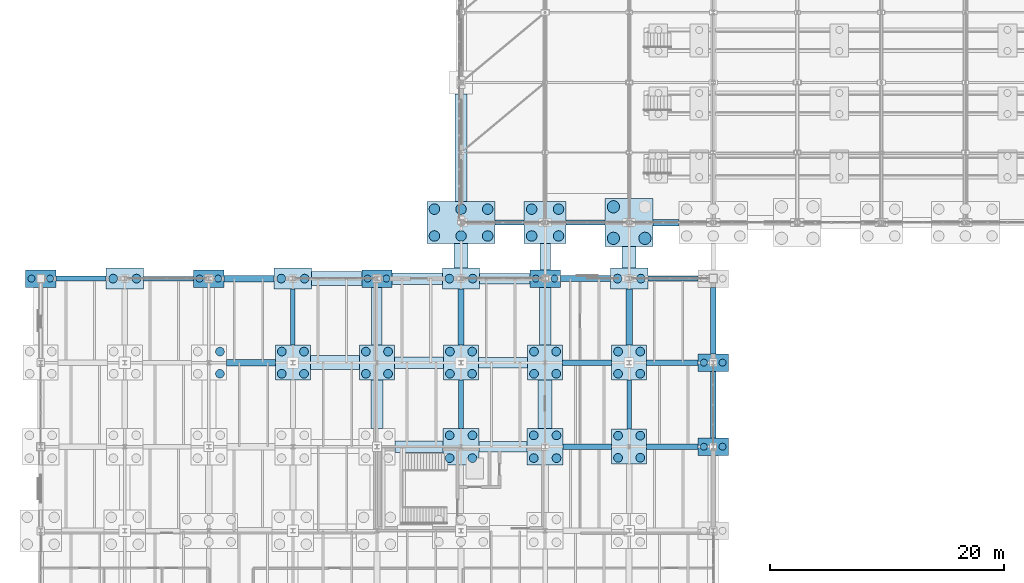
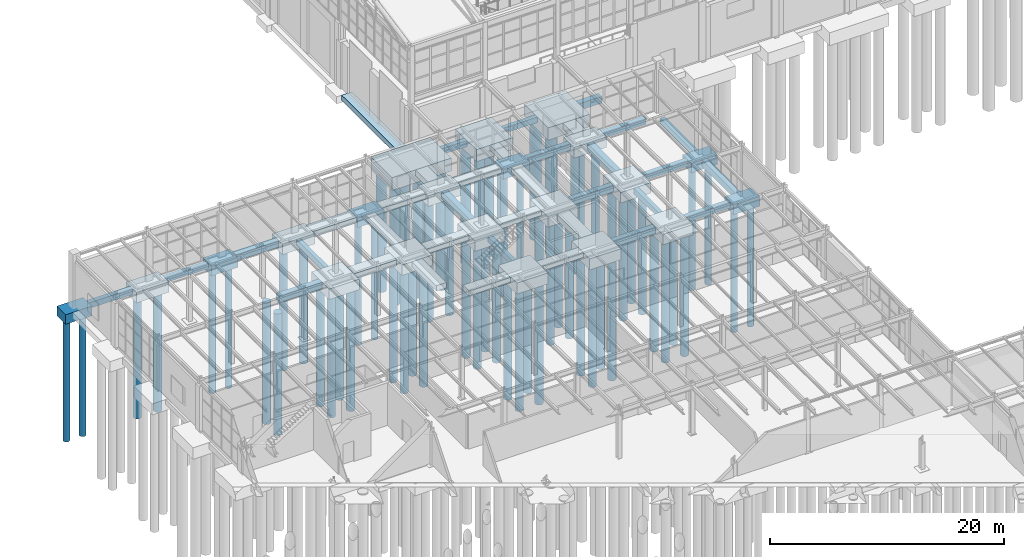
# One storey, part 7 of 293: 67 piles, 57 footings.
"""IFC4 building model written with IfcOpenShell, lengths in metres."""

from ifc_helpers import new_model, si_unit, direction, frame, origin, origin_2d, place, context, subcontext, project, spatial, rectangle, circle, extrude, material, material_profile, profile_set, type_object, element, save


model = new_model("IFC4")

# Units and contexts
model_context = context("Model", 3, precision=1e-05, world=origin(), true_north=direction((0.0, 1.0)))
body_context = subcontext(model_context, "Body", "Model", "MODEL_VIEW")
ifc_project = project(units=[si_unit("LENGTHUNIT", "METRE"), si_unit("AREAUNIT", "SQUARE_METRE"), si_unit("VOLUMEUNIT", "CUBIC_METRE"), si_unit("PLANEANGLEUNIT", "RADIAN"), si_unit("MASSUNIT", "GRAM", prefix="KILO")], contexts=[model_context])

# Site, building, storey
site_placement = place(None, origin())
site = spatial("IfcSite", under=ifc_project, at=site_placement, CompositionType="ELEMENT")
building_placement = place(site_placement, origin())
building = spatial("IfcBuilding", under=site, at=building_placement, Name="Kemerveld Promenade Tramway Depot", CompositionType="ELEMENT")
storey_placement = place(building_placement, origin())
storey = spatial("IfcBuildingStorey", under=building, at=storey_placement, Name="L00", CompositionType="ELEMENT", Elevation=0.0)

# Footings
ifc_material = material(Name="Concrete C35/45", Category="concrete")
footing_type_1 = type_object("IfcFootingType", Name="FT-GB01", PredefinedType="FOOTING_BEAM", material=ifc_material)
footing_1_placement = place(storey_placement, frame((46.824951171875, 64.800048828125, -0.949951171875), z_axis=(0.0, 0.0, 1.0), x_axis=(1.0, 0.0, 0.0)))
element("IfcFooting", 1, at=footing_1_placement, inside=storey, type_object=footing_type_1, Name="GBX-07-08-K", PredefinedType="FOOTING_BEAM", context=body_context, shape_type="SweptSolid", body=[
    extrude(rectangle(XDim=4.14990234375, YDim=0.5, at=origin_2d()), origin(), (0.0, 0.0, 1.0), 0.64990234375),
])
footing_2_placement = place(storey_placement, frame((46.800048828125, 72.0, -0.949951171875), z_axis=(0.0, 0.0, 1.0), x_axis=(1.0, 0.0, 0.0)))
element("IfcFooting", 2, at=footing_2_placement, inside=storey, type_object=footing_type_1, Name="GBX-07-08-L", PredefinedType="FOOTING_BEAM", context=body_context, shape_type="SweptSolid", body=[
    extrude(rectangle(XDim=4.199951171875, YDim=0.5, at=origin_2d()), origin(), (0.0, 0.0, 1.0), 0.64990234375),
])
footing_3_placement = place(storey_placement, frame((46.64990234375, 79.199951171875, -0.949951171875), z_axis=(0.0, 0.0, 1.0), x_axis=(1.0, 0.0, 0.0)))
element("IfcFooting", 3, at=footing_3_placement, inside=storey, type_object=footing_type_1, Name="GBX-07-08-M", PredefinedType="FOOTING_BEAM", context=body_context, shape_type="SweptSolid", body=[
    extrude(rectangle(XDim=4.300048828125, YDim=0.5, at=origin_2d()), origin(), (0.0, 0.0, 1.0), 0.64990234375),
])
footing_4_placement = place(storey_placement, frame((57.60009765625, 68.39990234375, -0.949951171875), z_axis=(0.0, 0.0, 1.0), x_axis=(0.0, 1.0, 0.0)))
element("IfcFooting", 4, at=footing_4_placement, inside=storey, type_object=footing_type_1, Name="GBY-09-K-L", PredefinedType="FOOTING_BEAM", context=body_context, shape_type="SweptSolid", body=[
    extrude(rectangle(XDim=5.699951171875, YDim=0.5, at=origin_2d()), origin(), (0.0, 0.0, 1.0), 0.64990234375),
])
footing_type_2 = type_object("IfcFootingType", Name="FT-GB02", PredefinedType="FOOTING_BEAM", material=ifc_material)
for number, where, z_axis, x_axis, name in (
    (5, (54.10009765625, 64.800048828125, -0.900146484375), (0.0, 0.0, 1.0), (1.0, 0.0, 0.0), "GBX-08-09-K"),
    (6, (54.10009765625, 72.0, -0.900146484375), (0.0, 0.0, 1.0), (1.0, 0.0, 0.0), "GBX-08-09-L"),
):
    element("IfcFooting", number, at=place(storey_placement, frame(where, z_axis=z_axis, x_axis=x_axis)), inside=storey, type_object=footing_type_2, Name=name, PredefinedType="FOOTING_BEAM", context=body_context, shape_type="SweptSolid", body=[
        extrude(rectangle(XDim=4.39990234375, YDim=0.449951171875, at=origin_2d()), origin(), (0.0, 0.0, 1.0), 0.60009765625),
    ])
for number, where, z_axis, x_axis, name in (
    (7, (3.449951171875, 79.199951171875, -0.900146484375), (0.0, 0.0, 1.0), (1.0, 0.0, 0.0), "GBX-01-02-M"),
    (8, (54.14990234375, 79.199951171875, -0.900146484375), (0.0, 0.0, 1.0), (1.0, 0.0, 0.0), "GBX-08-09-M"),
):
    element("IfcFooting", number, at=place(storey_placement, frame(where, z_axis=z_axis, x_axis=x_axis)), inside=storey, type_object=footing_type_2, Name=name, PredefinedType="FOOTING_BEAM", context=body_context, shape_type="SweptSolid", body=[
        extrude(rectangle(XDim=4.300048828125, YDim=0.449951171875, at=origin_2d()), origin(), (0.0, 0.0, 1.0), 0.60009765625),
    ])
footing_5_placement = place(storey_placement, frame((40.16259765625, 84.0, -0.900146484375), z_axis=(0.0, 0.0, 1.0), x_axis=(1.0, 0.0, 0.0)))
element("IfcFooting", 9, at=footing_5_placement, inside=storey, type_object=footing_type_2, Name="GBX-06-07-N", PredefinedType="FOOTING_BEAM", context=body_context, shape_type="SweptSolid", body=[
    extrude(rectangle(XDim=2.47509765625, YDim=0.449951171875, at=origin_2d()), origin(), (0.0, 0.0, 1.0), 0.60009765625),
])
footing_6_placement = place(storey_placement, frame((57.60009765625, 75.60009765625, -0.900146484375), z_axis=(0.0, 0.0, 1.0), x_axis=(0.0, 1.0, 0.0)))
element("IfcFooting", 10, at=footing_6_placement, inside=storey, type_object=footing_type_2, Name="GBY-09-L-M", PredefinedType="FOOTING_BEAM", context=body_context, shape_type="SweptSolid", body=[
    extrude(rectangle(XDim=5.699951171875, YDim=0.449951171875, at=origin_2d()), origin(), (0.0, 0.0, 1.0), 0.60009765625),
])
footing_type_3 = type_object("IfcFootingType", Name="FT-GB03", PredefinedType="FOOTING_BEAM", material=ifc_material)
footing_7_placement = place(storey_placement, frame((10.949951171875, 79.199951171875, -0.85009765625), z_axis=(0.0, 0.0, 1.0), x_axis=(1.0, 0.0, 0.0)))
element("IfcFooting", 11, at=footing_7_placement, inside=storey, type_object=footing_type_3, Name="GBX-02-03-M", PredefinedType="FOOTING_BEAM", context=body_context, shape_type="SweptSolid", body=[
    extrude(rectangle(XDim=4.300048828125, YDim=0.39990234375, at=origin_2d()), origin(), (0.0, 0.0, 1.0), 0.550048828125),
])
footing_8_placement = place(storey_placement, frame((46.675048828125, 84.0, -0.85009765625), z_axis=(0.0, 0.0, 1.0), x_axis=(1.0, 0.0, 0.0)))
element("IfcFooting", 12, at=footing_8_placement, inside=storey, type_object=footing_type_3, Name="GBX-07-08-N", PredefinedType="FOOTING_BEAM", context=body_context, shape_type="SweptSolid", body=[
    extrude(rectangle(XDim=3.35009765625, YDim=0.39990234375, at=origin_2d()), origin(), (0.0, 0.0, 1.0), 0.550048828125),
])
footing_9_placement = place(storey_placement, frame((21.60009765625, 75.89990234375, -0.85009765625), z_axis=(0.0, 0.0, 1.0), x_axis=(0.0, 1.0, 0.0)))
element("IfcFooting", 13, at=footing_9_placement, inside=storey, type_object=footing_type_3, Name="GBY-04-L-M", PredefinedType="FOOTING_BEAM", context=body_context, shape_type="SweptSolid", body=[
    extrude(rectangle(XDim=4.800048828125, YDim=0.39990234375, at=origin_2d()), origin(), (0.0, 0.0, 1.0), 0.550048828125),
])
footing_10_placement = place(storey_placement, frame((36.0, 68.425048828125, -0.85009765625), z_axis=(0.0, 0.0, 1.0), x_axis=(0.0, 1.0, 0.0)))
element("IfcFooting", 14, at=footing_10_placement, inside=storey, type_object=footing_type_3, Name="GBY-06-K-L", PredefinedType="FOOTING_BEAM", context=body_context, shape_type="SweptSolid", body=[
    extrude(rectangle(XDim=4.14990234375, YDim=0.39990234375, at=origin_2d()), origin(), (0.0, 0.0, 1.0), 0.550048828125),
])
footing_11_placement = place(storey_placement, frame((50.39990234375, 68.39990234375, -0.85009765625), z_axis=(0.0, 0.0, 1.0), x_axis=(0.0, 1.0, 0.0)))
element("IfcFooting", 15, at=footing_11_placement, inside=storey, type_object=footing_type_3, Name="GBY-08-K-L", PredefinedType="FOOTING_BEAM", context=body_context, shape_type="SweptSolid", body=[
    extrude(rectangle(XDim=4.199951171875, YDim=0.39990234375, at=origin_2d()), origin(), (0.0, 0.0, 1.0), 0.550048828125),
])
footing_type_4 = type_object("IfcFootingType", Name="FT-GB04", PredefinedType="FOOTING_BEAM", material=ifc_material)
footing_12_placement = place(storey_placement, frame((18.0, 72.0, -1.0), z_axis=(0.0, 0.0, 1.0), x_axis=(1.0, 0.0, 0.0)))
element("IfcFooting", 16, at=footing_12_placement, inside=storey, type_object=footing_type_4, Name="GBX-03-04-L", PredefinedType="FOOTING_BEAM", context=body_context, shape_type="SweptSolid", body=[
    extrude(rectangle(XDim=4.199951171875, YDim=0.550048828125, at=origin_2d()), origin(), (0.0, 0.0, 1.0), 0.699951171875),
])
footing_13_placement = place(storey_placement, frame((17.85009765625, 79.199951171875, -1.0), z_axis=(0.0, 0.0, 1.0), x_axis=(1.0, 0.0, 0.0)))
element("IfcFooting", 17, at=footing_13_placement, inside=storey, type_object=footing_type_4, Name="GBX-03-04-M", PredefinedType="FOOTING_BEAM", context=body_context, shape_type="SweptSolid", body=[
    extrude(rectangle(XDim=4.300048828125, YDim=0.550048828125, at=origin_2d()), origin(), (0.0, 0.0, 1.0), 0.699951171875),
])
footing_14_placement = place(storey_placement, frame((53.5625, 84.0, -1.0), z_axis=(0.0, 0.0, 1.0), x_axis=(1.0, 0.0, 0.0)))
element("IfcFooting", 18, at=footing_14_placement, inside=storey, type_object=footing_type_4, Name="GBX-08-09-N", PredefinedType="FOOTING_BEAM", context=body_context, shape_type="SweptSolid", body=[
    extrude(rectangle(XDim=2.22509765625, YDim=0.550048828125, at=origin_2d()), origin(), (0.0, 0.0, 1.0), 0.699951171875),
])
for number, where, z_axis, x_axis, name in (
    (19, (36.0, 75.89990234375, -1.0), (0.0, 0.0, 1.0), (0.0, 1.0, 0.0), "GBY-06-L-M"),
    (20, (50.39990234375, 75.89990234375, -1.0), (0.0, 0.0, 1.0), (0.0, 1.0, 0.0), "GBY-08-L-M"),
):
    element("IfcFooting", number, at=place(storey_placement, frame(where, z_axis=z_axis, x_axis=x_axis)), inside=storey, type_object=footing_type_4, Name=name, PredefinedType="FOOTING_BEAM", context=body_context, shape_type="SweptSolid", body=[
        extrude(rectangle(XDim=4.800048828125, YDim=0.550048828125, at=origin_2d()), origin(), (0.0, 0.0, 1.0), 0.699951171875),
    ])
footing_type_5 = type_object("IfcFootingType", Name="FT-PC01", PredefinedType="PILE_CAP", material=ifc_material)
footing_15_placement = place(storey_placement, frame((50.39990234375, 84.0, -1.60009765625), z_axis=(0.0, 0.0, 1.0), x_axis=(1.0, 0.0, 0.0)))
element("IfcFooting", 21, at=footing_15_placement, inside=storey, type_object=footing_type_5, Name="FT-08-N", PredefinedType="PILE_CAP", context=body_context, shape_type="SweptSolid", body=[
    extrude(rectangle(XDim=4.10009765625, YDim=4.10009765625, at=origin_2d()), origin(), (0.0, 0.0, 1.0), 1.300048828125),
])
footing_type_6 = type_object("IfcFootingType", Name="FT-PC02", PredefinedType="PILE_CAP", material=ifc_material)
footing_16_placement = place(storey_placement, frame((43.199951171875, 84.0, -1.550048828125), z_axis=(0.0, 0.0, 1.0), x_axis=(1.0, 0.0, 0.0)))
element("IfcFooting", 22, at=footing_16_placement, inside=storey, type_object=footing_type_6, Name="FT-07-N", PredefinedType="PILE_CAP", context=body_context, shape_type="SweptSolid", body=[
    extrude(rectangle(XDim=3.60009765625, YDim=3.60009765625, at=origin_2d()), origin(), (0.0, 0.0, 1.0), 1.25),
])
footing_type_7 = type_object("IfcFootingType", Name="FT-PC04", PredefinedType="PILE_CAP", material=ifc_material)
for number, where, z_axis, x_axis, name in (
    (23, (36.0, 64.800048828125, -1.449951171875), (0.0, 0.0, 1.0), (1.0, 0.0, 0.0), "FT-06-K"),
    (24, (43.199951171875, 64.800048828125, -1.449951171875), (0.0, 0.0, 1.0), (1.0, 0.0, 0.0), "FT-07-K"),
):
    element("IfcFooting", number, at=place(storey_placement, frame(where, z_axis=z_axis, x_axis=x_axis)), inside=storey, type_object=footing_type_7, Name=name, PredefinedType="PILE_CAP", context=body_context, shape_type="SweptSolid", body=[
        extrude(rectangle(XDim=3.10009765625, YDim=3.10009765625, at=origin_2d()), origin(), (0.0, 0.0, 1.0), 1.14990234375),
    ])
footing_type_8 = type_object("IfcFootingType", Name="FT-PC05", PredefinedType="PILE_CAP", material=ifc_material)
for number, where, z_axis, x_axis, name in (
    (25, (21.60009765625, 72.0, -1.400146484375), (0.0, 0.0, 1.0), (1.0, 0.0, 0.0), "FT-04-L"),
    (26, (28.800048828125, 72.0, -1.400146484375), (0.0, 0.0, 1.0), (1.0, 0.0, 0.0), "FT-05-L"),
    (27, (36.0, 72.0, -1.400146484375), (0.0, 0.0, 1.0), (1.0, 0.0, 0.0), "FT-06-L"),
    (28, (43.199951171875, 72.0, -1.400146484375), (0.0, 0.0, 1.0), (1.0, 0.0, 0.0), "FT-07-L"),
    (29, (50.39990234375, 64.800048828125, -1.400146484375), (0.0, 0.0, 1.0), (1.0, 0.0, 0.0), "FT-08-K"),
    (30, (50.39990234375, 72.0, -1.400146484375), (0.0, 0.0, 1.0), (1.0, 0.0, 0.0), "FT-08-L"),
):
    element("IfcFooting", number, at=place(storey_placement, frame(where, z_axis=z_axis, x_axis=x_axis)), inside=storey, type_object=footing_type_8, Name=name, PredefinedType="PILE_CAP", context=body_context, shape_type="SweptSolid", body=[
        extrude(rectangle(XDim=3.0, YDim=3.0, at=origin_2d()), origin(), (0.0, 0.0, 1.0), 1.10009765625),
    ])
footing_type_9 = type_object("IfcFootingType", Name="FT-PC06", PredefinedType="PILE_CAP", material=ifc_material)
for number, where, z_axis, x_axis, name in (
    (31, (7.199951171875, 79.199951171875, -1.400146484375), (0.0, 0.0, 1.0), (1.0, 0.0, 0.0), "FT-02-M"),
    (32, (21.60009765625, 79.199951171875, -1.400146484375), (0.0, 0.0, 1.0), (1.0, 0.0, 0.0), "FT-04-M"),
    (33, (36.0, 79.199951171875, -1.400146484375), (0.0, 0.0, 1.0), (1.0, 0.0, 0.0), "FT-06-M"),
    (34, (50.39990234375, 79.199951171875, -1.400146484375), (0.0, 0.0, 1.0), (1.0, 0.0, 0.0), "FT-08-M"),
):
    element("IfcFooting", number, at=place(storey_placement, frame(where, z_axis=z_axis, x_axis=x_axis)), inside=storey, type_object=footing_type_9, Name=name, PredefinedType="PILE_CAP", context=body_context, shape_type="SweptSolid", body=[
        extrude(rectangle(XDim=3.199951171875, YDim=1.800048828125, at=origin_2d()), origin(), (0.0, 0.0, 1.0), 1.10009765625),
    ])
footing_type_10 = type_object("IfcFootingType", Name="FT-PC08", PredefinedType="PILE_CAP", material=ifc_material)
for number, where, z_axis, x_axis, name in (
    (35, (0.0, 79.199951171875, -1.300048828125), (0.0, 0.0, 1.0), (1.0, 0.0, 0.0), "FT-01-M"),
    (36, (14.39990234375, 79.199951171875, -1.300048828125), (0.0, 0.0, 1.0), (1.0, 0.0, 0.0), "FT-03-M"),
    (37, (28.800048828125, 79.199951171875, -1.300048828125), (0.0, 0.0, 1.0), (1.0, 0.0, 0.0), "FT-05-M"),
    (38, (43.199951171875, 79.199951171875, -1.300048828125), (0.0, 0.0, 1.0), (1.0, 0.0, 0.0), "FT-07-M"),
    (39, (57.60009765625, 64.800048828125, -1.300048828125), (0.0, 0.0, 1.0), (1.0, 0.0, 0.0), "FT-09-K"),
    (40, (57.60009765625, 72.0, -1.300048828125), (0.0, 0.0, 1.0), (1.0, 0.0, 0.0), "FT-09-L"),
):
    element("IfcFooting", number, at=place(storey_placement, frame(where, z_axis=z_axis, x_axis=x_axis)), inside=storey, type_object=footing_type_10, Name=name, PredefinedType="PILE_CAP", context=body_context, shape_type="SweptSolid", body=[
        extrude(rectangle(XDim=2.60009765625, YDim=1.5, at=origin_2d()), origin(), (0.0, 0.0, 1.0), 1.0),
    ])
footing_type_11 = type_object("IfcFootingType", Name="FT-PC09", PredefinedType="PILE_CAP", material=ifc_material)
footing_17_placement = place(storey_placement, frame((36.0, 84.0, -1.650146484375), z_axis=(0.0, 0.0, 1.0), x_axis=(1.0, 0.0, 0.0)))
element("IfcFooting", 41, at=footing_17_placement, inside=storey, type_object=footing_type_11, Name="FT-06-N", PredefinedType="PILE_CAP", context=body_context, shape_type="SweptSolid", body=[
    extrude(rectangle(XDim=5.85009765625, YDim=3.60009765625, at=origin_2d()), origin(), (0.0, 0.0, 1.0), 1.35009765625),
])
footing_type_12 = type_object("IfcFootingType", Name="FT-SF01", PredefinedType="STRIP_FOOTING", material=ifc_material)
footing_18_placement = place(storey_placement, frame((25.199951171875, 72.0, -0.900146484375), z_axis=(0.0, 0.0, 1.0), x_axis=(1.0, 0.0, 0.0)))
element("IfcFooting", 42, at=footing_18_placement, inside=storey, type_object=footing_type_12, Name="GBX-04-05-L", PredefinedType="STRIP_FOOTING", context=body_context, shape_type="SweptSolid", body=[
    extrude(rectangle(XDim=4.199951171875, YDim=1.199951171875, at=origin_2d()), origin(), (0.0, 0.0, 1.0), 0.60009765625),
])
footing_19_placement = place(storey_placement, frame((25.35009765625, 79.199951171875, -0.900146484375), z_axis=(0.0, 0.0, 1.0), x_axis=(1.0, 0.0, 0.0)))
element("IfcFooting", 43, at=footing_19_placement, inside=storey, type_object=footing_type_12, Name="GBX-04-05-M", PredefinedType="STRIP_FOOTING", context=body_context, shape_type="SweptSolid", body=[
    extrude(rectangle(XDim=4.300048828125, YDim=1.199951171875, at=origin_2d()), origin(), (0.0, 0.0, 1.0), 0.60009765625),
])
footing_20_placement = place(storey_placement, frame((36.0, 81.14990234375, -0.900146484375), z_axis=(0.0, 0.0, 1.0), x_axis=(0.0, 1.0, 0.0)))
element("IfcFooting", 44, at=footing_20_placement, inside=storey, type_object=footing_type_12, Name="GBY-06-M-N", PredefinedType="STRIP_FOOTING", context=body_context, shape_type="SweptSolid", body=[
    extrude(rectangle(XDim=2.10009765625, YDim=1.199951171875, at=origin_2d()), origin(), (0.0, 0.0, 1.0), 0.60009765625),
])
footing_21_placement = place(storey_placement, frame((43.199951171875, 68.425048828125, -0.900146484375), z_axis=(0.0, 0.0, 1.0), x_axis=(0.0, 1.0, 0.0)))
element("IfcFooting", 45, at=footing_21_placement, inside=storey, type_object=footing_type_12, Name="GBY-07-K-L", PredefinedType="STRIP_FOOTING", context=body_context, shape_type="SweptSolid", body=[
    extrude(rectangle(XDim=4.14990234375, YDim=1.199951171875, at=origin_2d()), origin(), (0.0, 0.0, 1.0), 0.60009765625),
])
footing_22_placement = place(storey_placement, frame((50.39990234375, 81.02490234375, -0.900146484375), z_axis=(0.0, 0.0, 1.0), x_axis=(0.0, 1.0, 0.0)))
element("IfcFooting", 46, at=footing_22_placement, inside=storey, type_object=footing_type_12, Name="GBY-08-M-N", PredefinedType="STRIP_FOOTING", context=body_context, shape_type="SweptSolid", body=[
    extrude(rectangle(XDim=1.85009765625, YDim=1.199951171875, at=origin_2d()), origin(), (0.0, 0.0, 1.0), 0.60009765625),
])
footing_type_13 = type_object("IfcFootingType", Name="FT-SF02", PredefinedType="STRIP_FOOTING", material=ifc_material)
footing_23_placement = place(storey_placement, frame((32.39990234375, 64.800048828125, -0.85009765625), z_axis=(0.0, 0.0, 1.0), x_axis=(1.0, 0.0, 0.0)))
element("IfcFooting", 47, at=footing_23_placement, inside=storey, type_object=footing_type_13, Name="GBX-05-06-K", PredefinedType="STRIP_FOOTING", context=body_context, shape_type="SweptSolid", body=[
    extrude(rectangle(XDim=4.10009765625, YDim=1.0, at=origin_2d()), origin(), (0.0, 0.0, 1.0), 0.550048828125),
])
footing_24_placement = place(storey_placement, frame((32.39990234375, 72.0, -0.85009765625), z_axis=(0.0, 0.0, 1.0), x_axis=(1.0, 0.0, 0.0)))
element("IfcFooting", 48, at=footing_24_placement, inside=storey, type_object=footing_type_13, Name="GBX-05-06-L", PredefinedType="STRIP_FOOTING", context=body_context, shape_type="SweptSolid", body=[
    extrude(rectangle(XDim=4.199951171875, YDim=1.0, at=origin_2d()), origin(), (0.0, 0.0, 1.0), 0.550048828125),
])
footing_25_placement = place(storey_placement, frame((32.25, 79.199951171875, -0.85009765625), z_axis=(0.0, 0.0, 1.0), x_axis=(1.0, 0.0, 0.0)))
element("IfcFooting", 49, at=footing_25_placement, inside=storey, type_object=footing_type_13, Name="GBX-05-06-M", PredefinedType="STRIP_FOOTING", context=body_context, shape_type="SweptSolid", body=[
    extrude(rectangle(XDim=4.300048828125, YDim=1.0, at=origin_2d()), origin(), (0.0, 0.0, 1.0), 0.550048828125),
])
footing_26_placement = place(storey_placement, frame((28.800048828125, 68.425048828125, -0.85009765625), z_axis=(0.0, 0.0, 1.0), x_axis=(0.0, 1.0, 0.0)))
element("IfcFooting", 50, at=footing_26_placement, inside=storey, type_object=footing_type_13, Name="GBY-05-K-L", PredefinedType="STRIP_FOOTING", context=body_context, shape_type="SweptSolid", body=[
    extrude(rectangle(XDim=4.14990234375, YDim=1.0, at=origin_2d()), origin(), (0.0, 0.0, 1.0), 0.550048828125),
])
footing_27_placement = place(storey_placement, frame((36.0, 90.39990234375, -0.85009765625), z_axis=(0.0, 0.0, 1.0), x_axis=(0.0, 1.0, 0.0)))
element("IfcFooting", 51, at=footing_27_placement, inside=storey, type_object=footing_type_13, Name="GBY-06-N-P", PredefinedType="STRIP_FOOTING", context=body_context, shape_type="SweptSolid", body=[
    extrude(rectangle(XDim=9.199951171875, YDim=1.0, at=origin_2d()), origin(), (0.0, 0.0, 1.0), 0.550048828125),
])
footing_28_placement = place(storey_placement, frame((43.199951171875, 75.97509765625, -0.85009765625), z_axis=(0.0, 0.0, 1.0), x_axis=(0.0, 1.0, 0.0)))
element("IfcFooting", 52, at=footing_28_placement, inside=storey, type_object=footing_type_13, Name="GBY-07-L-M", PredefinedType="STRIP_FOOTING", context=body_context, shape_type="SweptSolid", body=[
    extrude(rectangle(XDim=4.949951171875, YDim=1.0, at=origin_2d()), origin(), (0.0, 0.0, 1.0), 0.550048828125),
])
footing_type_14 = type_object("IfcFootingType", Name="FT-SF03", PredefinedType="STRIP_FOOTING", material=ifc_material)
footing_29_placement = place(storey_placement, frame((39.60009765625, 64.800048828125, -0.800048828125), z_axis=(0.0, 0.0, 1.0), x_axis=(1.0, 0.0, 0.0)))
element("IfcFooting", 53, at=footing_29_placement, inside=storey, type_object=footing_type_14, Name="GBX-06-07-K", PredefinedType="STRIP_FOOTING", context=body_context, shape_type="SweptSolid", body=[
    extrude(rectangle(XDim=4.10009765625, YDim=0.89990234375, at=origin_2d()), origin(), (0.0, 0.0, 1.0), 0.5),
])
footing_30_placement = place(storey_placement, frame((39.60009765625, 72.0, -0.800048828125), z_axis=(0.0, 0.0, 1.0), x_axis=(1.0, 0.0, 0.0)))
element("IfcFooting", 54, at=footing_30_placement, inside=storey, type_object=footing_type_14, Name="GBX-06-07-L", PredefinedType="STRIP_FOOTING", context=body_context, shape_type="SweptSolid", body=[
    extrude(rectangle(XDim=4.199951171875, YDim=0.89990234375, at=origin_2d()), origin(), (0.0, 0.0, 1.0), 0.5),
])
footing_31_placement = place(storey_placement, frame((39.75, 79.199951171875, -0.800048828125), z_axis=(0.0, 0.0, 1.0), x_axis=(1.0, 0.0, 0.0)))
element("IfcFooting", 55, at=footing_31_placement, inside=storey, type_object=footing_type_14, Name="GBX-06-07-M", PredefinedType="STRIP_FOOTING", context=body_context, shape_type="SweptSolid", body=[
    extrude(rectangle(XDim=4.300048828125, YDim=0.89990234375, at=origin_2d()), origin(), (0.0, 0.0, 1.0), 0.5),
])
footing_32_placement = place(storey_placement, frame((28.800048828125, 75.97509765625, -0.800048828125), z_axis=(0.0, 0.0, 1.0), x_axis=(0.0, 1.0, 0.0)))
element("IfcFooting", 56, at=footing_32_placement, inside=storey, type_object=footing_type_14, Name="GBY-05-L-M", PredefinedType="STRIP_FOOTING", context=body_context, shape_type="SweptSolid", body=[
    extrude(rectangle(XDim=4.949951171875, YDim=0.89990234375, at=origin_2d()), origin(), (0.0, 0.0, 1.0), 0.5),
])
footing_33_placement = place(storey_placement, frame((43.199951171875, 81.074951171875, -0.800048828125), z_axis=(0.0, 0.0, 1.0), x_axis=(0.0, 1.0, 0.0)))
element("IfcFooting", 57, at=footing_33_placement, inside=storey, type_object=footing_type_14, Name="GBY-07-M-N", PredefinedType="STRIP_FOOTING", context=body_context, shape_type="SweptSolid", body=[
    extrude(rectangle(XDim=2.25, YDim=0.89990234375, at=origin_2d()), origin(), (0.0, 0.0, 1.0), 0.5),
])

# Piles
ifc_material_profile_1 = material_profile(ifc_material, circle(Radius=0.52490234375, at=origin_2d()), Name="PILE-D1050")
ifc_profile_set_1 = profile_set([ifc_material_profile_1], Name="Concrete C35/45")
pile_type_1 = type_object("IfcPileType", Name="PL-BOR-1050", PredefinedType="BORED", material=ifc_profile_set_1)
for number, where, z_axis, x_axis, name in (
    (58, (49.050048828125, 82.64990234375, -1.5), (0.0, 0.0, -1.0), (1.0, 0.0, 0.0), "PIL-08-N-1"),
    (59, (51.75, 82.64990234375, -1.5), (0.0, 0.0, -1.0), (1.0, 0.0, 0.0), "PIL-08-N-2"),
    (60, (49.050048828125, 85.35009765625, -1.5), (0.0, 0.0, -1.0), (1.0, 0.0, 0.0), "PIL-08-N-3"),
):
    element("IfcPile", number, at=place(storey_placement, frame(where, z_axis=z_axis, x_axis=x_axis)), inside=storey, type_object=pile_type_1, Name=name, PredefinedType="BORED", context=body_context, shape_type="SweptSolid", body=[
        extrude(circle(Radius=0.52490234375, at=origin_2d()), origin(), (0.0, 0.0, 1.0), 12.5),
    ])
ifc_material_profile_2 = material_profile(ifc_material, circle(Radius=0.300048828125, at=origin_2d()), Name="PILE-D600")
ifc_profile_set_2 = profile_set([ifc_material_profile_2], Name="Concrete C35/45")
pile_type_2 = type_object("IfcPileType", Name="PL-BOR-600", PredefinedType="BORED", material=ifc_profile_set_2)
for number, where, z_axis, x_axis, name in (
    (61, (-0.800048828125, 79.199951171875, -1.199951171875), (0.0, 0.0, -1.0), (1.0, 0.0, 0.0), "PIL-01-M-1"),
    (62, (0.800048828125, 79.199951171875, -1.199951171875), (0.0, 0.0, -1.0), (1.0, 0.0, 0.0), "PIL-01-M-2"),
    (63, (13.60009765625, 79.199951171875, -1.199951171875), (0.0, 0.0, -1.0), (1.0, 0.0, 0.0), "PIL-03-M-1"),
    (64, (15.199951171875, 79.199951171875, -1.199951171875), (0.0, 0.0, -1.0), (1.0, 0.0, 0.0), "PIL-03-M-2"),
    (65, (28.0, 79.199951171875, -1.199951171875), (0.0, 0.0, -1.0), (1.0, 0.0, 0.0), "PIL-05-M-1"),
    (66, (29.60009765625, 79.199951171875, -1.199951171875), (0.0, 0.0, -1.0), (1.0, 0.0, 0.0), "PIL-05-M-2"),
    (67, (42.39990234375, 79.199951171875, -1.199951171875), (0.0, 0.0, -1.0), (1.0, 0.0, 0.0), "PIL-07-M-1"),
    (68, (44.0, 79.199951171875, -1.199951171875), (0.0, 0.0, -1.0), (1.0, 0.0, 0.0), "PIL-07-M-2"),
    (69, (56.800048828125, 64.800048828125, -1.199951171875), (0.0, 0.0, -1.0), (1.0, 0.0, 0.0), "PIL-09-K-1"),
    (70, (58.39990234375, 64.800048828125, -1.199951171875), (0.0, 0.0, -1.0), (1.0, 0.0, 0.0), "PIL-09-K-2"),
    (71, (56.800048828125, 72.0, -1.199951171875), (0.0, 0.0, -1.0), (1.0, 0.0, 0.0), "PIL-09-L-1"),
    (72, (58.39990234375, 72.0, -1.199951171875), (0.0, 0.0, -1.0), (1.0, 0.0, 0.0), "PIL-09-L-2"),
):
    element("IfcPile", number, at=place(storey_placement, frame(where, z_axis=z_axis, x_axis=x_axis)), inside=storey, type_object=pile_type_2, Name=name, PredefinedType="BORED", context=body_context, shape_type="SweptSolid", body=[
        extrude(circle(Radius=0.300048828125, at=origin_2d()), origin(), (0.0, 0.0, 1.0), 12.800048828125),
    ])
ifc_material_profile_3 = material_profile(ifc_material, circle(Radius=0.375, at=origin_2d()), Name="PILE-D750")
ifc_profile_set_3 = profile_set([ifc_material_profile_3], Name="Concrete C35/45")
pile_type_3 = type_object("IfcPileType", Name="PL-BOR-750", PredefinedType="BORED", material=ifc_profile_set_3)
for number, where, z_axis, x_axis, name in (
    (73, (6.199951171875, 79.199951171875, -1.300048828125), (0.0, 0.0, -1.0), (1.0, 0.0, 0.0), "PIL-02-M-1"),
    (74, (8.199951171875, 79.199951171875, -1.300048828125), (0.0, 0.0, -1.0), (1.0, 0.0, 0.0), "PIL-02-M-2"),
    (75, (15.35009765625, 71.050048828125, -1.300048828125), (0.0, 0.0, -1.0), (1.0, 0.0, 0.0), "PIL-03-L-2"),
    (76, (15.35009765625, 72.949951171875, -1.300048828125), (0.0, 0.0, -1.0), (1.0, 0.0, 0.0), "PIL-03-L-4"),
    (77, (20.64990234375, 71.050048828125, -1.300048828125), (0.0, 0.0, -1.0), (1.0, 0.0, 0.0), "PIL-04-L-1"),
    (78, (22.550048828125, 71.050048828125, -1.300048828125), (0.0, 0.0, -1.0), (1.0, 0.0, 0.0), "PIL-04-L-2"),
    (79, (20.64990234375, 72.949951171875, -1.300048828125), (0.0, 0.0, -1.0), (1.0, 0.0, 0.0), "PIL-04-L-3"),
    (80, (22.550048828125, 72.949951171875, -1.300048828125), (0.0, 0.0, -1.0), (1.0, 0.0, 0.0), "PIL-04-L-4"),
    (81, (20.60009765625, 79.199951171875, -1.300048828125), (0.0, 0.0, -1.0), (1.0, 0.0, 0.0), "PIL-04-M-1"),
    (82, (22.60009765625, 79.199951171875, -1.300048828125), (0.0, 0.0, -1.0), (1.0, 0.0, 0.0), "PIL-04-M-2"),
    (83, (27.85009765625, 71.050048828125, -1.300048828125), (0.0, 0.0, -1.0), (1.0, 0.0, 0.0), "PIL-05-L-1"),
    (84, (29.75, 71.050048828125, -1.300048828125), (0.0, 0.0, -1.0), (1.0, 0.0, 0.0), "PIL-05-L-2"),
    (85, (27.85009765625, 72.949951171875, -1.300048828125), (0.0, 0.0, -1.0), (1.0, 0.0, 0.0), "PIL-05-L-3"),
    (86, (29.75, 72.949951171875, -1.300048828125), (0.0, 0.0, -1.0), (1.0, 0.0, 0.0), "PIL-05-L-4"),
):
    element("IfcPile", number, at=place(storey_placement, frame(where, z_axis=z_axis, x_axis=x_axis)), inside=storey, type_object=pile_type_3, Name=name, PredefinedType="BORED", context=body_context, shape_type="SweptSolid", body=[
        extrude(circle(Radius=0.375, at=origin_2d()), origin(), (0.0, 0.0, 1.0), 12.699951171875),
    ])
for number, where, z_axis, x_axis, name in (
    (87, (35.02490234375, 63.824951171875, -1.35009765625), (0.0, 0.0, -1.0), (1.0, 0.0, 0.0), "PIL-06-K-1"),
    (88, (36.97509765625, 63.824951171875, -1.35009765625), (0.0, 0.0, -1.0), (1.0, 0.0, 0.0), "PIL-06-K-2"),
    (89, (35.02490234375, 65.77490234375, -1.35009765625), (0.0, 0.0, -1.0), (1.0, 0.0, 0.0), "PIL-06-K-3"),
    (90, (36.97509765625, 65.77490234375, -1.35009765625), (0.0, 0.0, -1.0), (1.0, 0.0, 0.0), "PIL-06-K-4"),
):
    element("IfcPile", number, at=place(storey_placement, frame(where, z_axis=z_axis, x_axis=x_axis)), inside=storey, type_object=pile_type_3, Name=name, PredefinedType="BORED", context=body_context, shape_type="SweptSolid", body=[
        extrude(circle(Radius=0.375, at=origin_2d()), origin(), (0.0, 0.0, 1.0), 12.64990234375),
    ])
for number, where, z_axis, x_axis, name in (
    (91, (35.050048828125, 71.050048828125, -1.300048828125), (0.0, 0.0, -1.0), (1.0, 0.0, 0.0), "PIL-06-L-1"),
    (92, (36.949951171875, 71.050048828125, -1.300048828125), (0.0, 0.0, -1.0), (1.0, 0.0, 0.0), "PIL-06-L-2"),
    (93, (35.050048828125, 72.949951171875, -1.300048828125), (0.0, 0.0, -1.0), (1.0, 0.0, 0.0), "PIL-06-L-3"),
    (94, (36.949951171875, 72.949951171875, -1.300048828125), (0.0, 0.0, -1.0), (1.0, 0.0, 0.0), "PIL-06-L-4"),
    (95, (35.0, 79.199951171875, -1.300048828125), (0.0, 0.0, -1.0), (1.0, 0.0, 0.0), "PIL-06-M-1"),
    (96, (37.0, 79.199951171875, -1.300048828125), (0.0, 0.0, -1.0), (1.0, 0.0, 0.0), "PIL-06-M-2"),
):
    element("IfcPile", number, at=place(storey_placement, frame(where, z_axis=z_axis, x_axis=x_axis)), inside=storey, type_object=pile_type_3, Name=name, PredefinedType="BORED", context=body_context, shape_type="SweptSolid", body=[
        extrude(circle(Radius=0.375, at=origin_2d()), origin(), (0.0, 0.0, 1.0), 12.699951171875),
    ])
for number, where, z_axis, x_axis, name in (
    (97, (42.22509765625, 63.824951171875, -1.35009765625), (0.0, 0.0, -1.0), (1.0, 0.0, 0.0), "PIL-07-K-1"),
    (98, (44.175048828125, 63.824951171875, -1.35009765625), (0.0, 0.0, -1.0), (1.0, 0.0, 0.0), "PIL-07-K-2"),
    (99, (42.22509765625, 65.77490234375, -1.35009765625), (0.0, 0.0, -1.0), (1.0, 0.0, 0.0), "PIL-07-K-3"),
    (100, (44.175048828125, 65.77490234375, -1.35009765625), (0.0, 0.0, -1.0), (1.0, 0.0, 0.0), "PIL-07-K-4"),
):
    element("IfcPile", number, at=place(storey_placement, frame(where, z_axis=z_axis, x_axis=x_axis)), inside=storey, type_object=pile_type_3, Name=name, PredefinedType="BORED", context=body_context, shape_type="SweptSolid", body=[
        extrude(circle(Radius=0.375, at=origin_2d()), origin(), (0.0, 0.0, 1.0), 12.64990234375),
    ])
for number, where, z_axis, x_axis, name in (
    (101, (42.25, 71.050048828125, -1.300048828125), (0.0, 0.0, -1.0), (1.0, 0.0, 0.0), "PIL-07-L-1"),
    (102, (44.14990234375, 71.050048828125, -1.300048828125), (0.0, 0.0, -1.0), (1.0, 0.0, 0.0), "PIL-07-L-2"),
    (103, (42.25, 72.949951171875, -1.300048828125), (0.0, 0.0, -1.0), (1.0, 0.0, 0.0), "PIL-07-L-3"),
    (104, (44.14990234375, 72.949951171875, -1.300048828125), (0.0, 0.0, -1.0), (1.0, 0.0, 0.0), "PIL-07-L-4"),
    (105, (49.449951171875, 63.85009765625, -1.300048828125), (0.0, 0.0, -1.0), (1.0, 0.0, 0.0), "PIL-08-K-1"),
    (106, (51.35009765625, 63.85009765625, -1.300048828125), (0.0, 0.0, -1.0), (1.0, 0.0, 0.0), "PIL-08-K-2"),
    (107, (49.449951171875, 65.75, -1.300048828125), (0.0, 0.0, -1.0), (1.0, 0.0, 0.0), "PIL-08-K-3"),
    (108, (51.35009765625, 65.75, -1.300048828125), (0.0, 0.0, -1.0), (1.0, 0.0, 0.0), "PIL-08-K-4"),
    (109, (49.449951171875, 71.050048828125, -1.300048828125), (0.0, 0.0, -1.0), (1.0, 0.0, 0.0), "PIL-08-L-1"),
    (110, (51.35009765625, 71.050048828125, -1.300048828125), (0.0, 0.0, -1.0), (1.0, 0.0, 0.0), "PIL-08-L-2"),
    (111, (49.449951171875, 72.949951171875, -1.300048828125), (0.0, 0.0, -1.0), (1.0, 0.0, 0.0), "PIL-08-L-3"),
    (112, (51.35009765625, 72.949951171875, -1.300048828125), (0.0, 0.0, -1.0), (1.0, 0.0, 0.0), "PIL-08-L-4"),
    (113, (49.39990234375, 79.199951171875, -1.300048828125), (0.0, 0.0, -1.0), (1.0, 0.0, 0.0), "PIL-08-M-1"),
    (114, (51.39990234375, 79.199951171875, -1.300048828125), (0.0, 0.0, -1.0), (1.0, 0.0, 0.0), "PIL-08-M-2"),
):
    element("IfcPile", number, at=place(storey_placement, frame(where, z_axis=z_axis, x_axis=x_axis)), inside=storey, type_object=pile_type_3, Name=name, PredefinedType="BORED", context=body_context, shape_type="SweptSolid", body=[
        extrude(circle(Radius=0.375, at=origin_2d()), origin(), (0.0, 0.0, 1.0), 12.699951171875),
    ])
ifc_material_profile_4 = material_profile(ifc_material, circle(Radius=0.449951171875, at=origin_2d()), Name="PILE-D900")
ifc_profile_set_4 = profile_set([ifc_material_profile_4], Name="Concrete C35/45")
pile_type_4 = type_object("IfcPileType", Name="PL-BOR-900", PredefinedType="BORED", material=ifc_profile_set_4)
for number, where, z_axis, x_axis, name in (
    (115, (33.719970703125, 82.85009765625, -1.550048828125), (0.0, 0.0, -1.0), (1.0, 0.0, 0.0), "PIL-06-N-1"),
    (116, (36.0, 82.85009765625, -1.550048828125), (0.0, 0.0, -1.0), (1.0, 0.0, 0.0), "PIL-06-N-2"),
    (117, (38.280029296875, 82.85009765625, -1.550048828125), (0.0, 0.0, -1.0), (1.0, 0.0, 0.0), "PIL-06-N-3"),
    (118, (33.719970703125, 85.14990234375, -1.550048828125), (0.0, 0.0, -1.0), (1.0, 0.0, 0.0), "PIL-06-N-4"),
    (119, (36.0, 85.14990234375, -1.550048828125), (0.0, 0.0, -1.0), (1.0, 0.0, 0.0), "PIL-06-N-5"),
    (120, (38.280029296875, 85.14990234375, -1.550048828125), (0.0, 0.0, -1.0), (1.0, 0.0, 0.0), "PIL-06-N-6"),
):
    element("IfcPile", number, at=place(storey_placement, frame(where, z_axis=z_axis, x_axis=x_axis)), inside=storey, type_object=pile_type_4, Name=name, PredefinedType="BORED", context=body_context, shape_type="SweptSolid", body=[
        extrude(circle(Radius=0.449951171875, at=origin_2d()), origin(), (0.0, 0.0, 1.0), 12.449951171875),
    ])
for number, where, z_axis, x_axis, name in (
    (121, (42.050048828125, 82.85009765625, -1.449951171875), (0.0, 0.0, -1.0), (1.0, 0.0, 0.0), "PIL-07-N-1"),
    (122, (44.35009765625, 82.85009765625, -1.449951171875), (0.0, 0.0, -1.0), (1.0, 0.0, 0.0), "PIL-07-N-2"),
    (123, (42.050048828125, 85.14990234375, -1.449951171875), (0.0, 0.0, -1.0), (1.0, 0.0, 0.0), "PIL-07-N-3"),
    (124, (44.35009765625, 85.14990234375, -1.449951171875), (0.0, 0.0, -1.0), (1.0, 0.0, 0.0), "PIL-07-N-4"),
):
    element("IfcPile", number, at=place(storey_placement, frame(where, z_axis=z_axis, x_axis=x_axis)), inside=storey, type_object=pile_type_4, Name=name, PredefinedType="BORED", context=body_context, shape_type="SweptSolid", body=[
        extrude(circle(Radius=0.449951171875, at=origin_2d()), origin(), (0.0, 0.0, 1.0), 12.550048828125),
    ])

save(model, "model.ifc")
